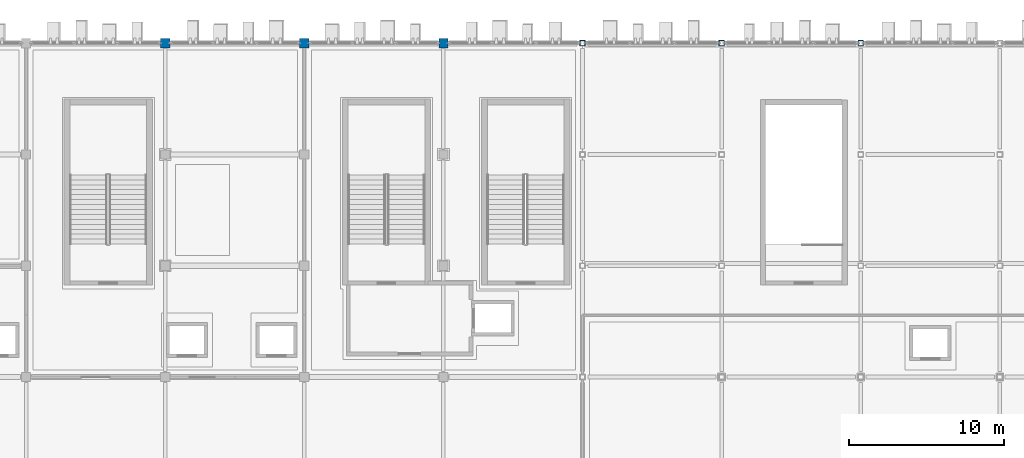
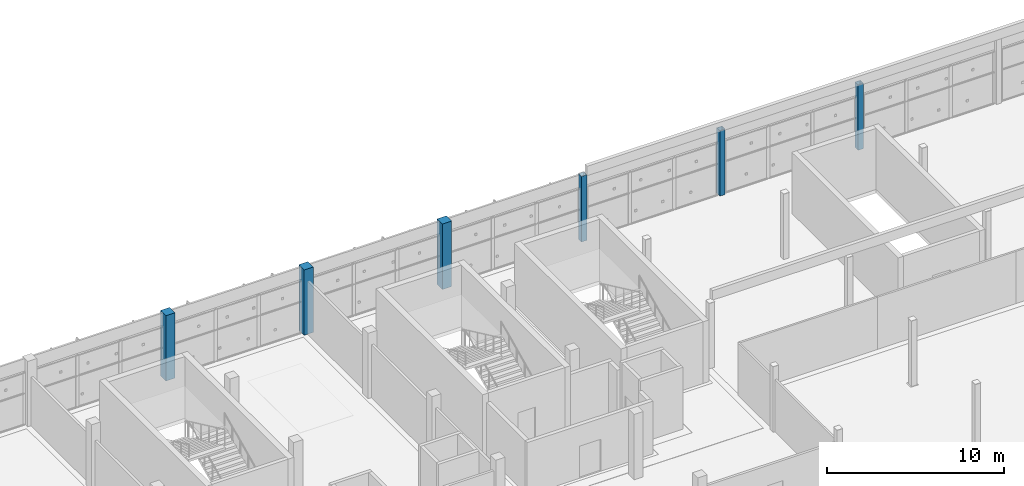
# One storey, part 8 of 124: 6 columns.
"""IFC4 building model written with IfcOpenShell, lengths in metres."""

from ifc_helpers import new_model, si_unit, direction, frame, origin, origin_2d, place, context, subcontext, project, spatial, rectangle, hollow_rectangle, extrude, material, material_profile, profile_set, type_object, element, save


model = new_model("IFC4")

# Units and contexts
model_context = context("Model", 3, precision=1e-05, world=origin(), true_north=direction((0.0, 1.0)))
body_context = subcontext(model_context, "Body", "Model", "MODEL_VIEW")
ifc_project = project(units=[si_unit("LENGTHUNIT", "METRE"), si_unit("AREAUNIT", "SQUARE_METRE"), si_unit("VOLUMEUNIT", "CUBIC_METRE"), si_unit("PLANEANGLEUNIT", "RADIAN"), si_unit("MASSUNIT", "GRAM", prefix="KILO")], contexts=[model_context])

# Site, building, storey
site_placement = place(None, origin())
site = spatial("IfcSite", under=ifc_project, at=site_placement, CompositionType="ELEMENT")
building_placement = place(site_placement, origin())
building = spatial("IfcBuilding", under=site, at=building_placement, Name="Celestram Park Convention Centre", CompositionType="ELEMENT")
storey_placement = place(building_placement, frame((0.0, 0.0, 15.300048828125)))
storey = spatial("IfcBuildingStorey", under=building, at=storey_placement, Name="L03", CompositionType="ELEMENT", Elevation=15.300048828125)

# Columns
ifc_material_1 = material(Name="Steel ASTM A500 Grade C", Category="steel")
ifc_material_profile_1 = material_profile(ifc_material_1, hollow_rectangle(XDim=0.35009765625, YDim=0.35009765625, WallThickness=0.01611328125, at=origin_2d()), Name="HSS350X350X16")
ifc_profile_set_1 = profile_set([ifc_material_profile_1], Name="Steel ASTM A500 Grade C")
column_type_1 = type_object("IfcColumnType", Name="STR-COL-HSS350", PredefinedType="COLUMN", material=ifc_profile_set_1)
for number, where, z_axis, x_axis, name in (
    (1, (99.0, 165.60009765625, 0.0), (0.0, 0.0, 1.0), (1.0, 0.0, 0.0), "Column CN-L03-069"),
    (2, (108.0, 165.60009765625, 0.0), (0.0, 0.0, 1.0), (1.0, 0.0, 0.0), "Column CN-L03-078"),
    (3, (117.0, 165.60009765625, 0.0), (0.0, 0.0, 1.0), (1.0, 0.0, 0.0), "Column CN-L03-087"),
):
    element("IfcColumn", number, at=place(storey_placement, frame(where, z_axis=z_axis, x_axis=x_axis)), inside=storey, type_object=column_type_1, Name=name, PredefinedType="COLUMN", context=body_context, shape_type="SweptSolid", body=[
        extrude(hollow_rectangle(XDim=0.35009765625, YDim=0.35009765625, WallThickness=0.01611328125, at=origin_2d()), origin(), (0.0, 0.0, 1.0), 4.5),
    ])
ifc_material_2 = material(Name="Concrete C40/50", Category="concrete")
ifc_material_profile_2 = material_profile(ifc_material_2, rectangle(XDim=0.60009765625, YDim=0.60009765625, at=origin_2d()), Name="RC600X600")
ifc_profile_set_2 = profile_set([ifc_material_profile_2], Name="Concrete C40/50")
column_type_2 = type_object("IfcColumnType", Name="STR-COL-RC600", PredefinedType="COLUMN", material=ifc_profile_set_2)
for number, where, z_axis, x_axis, name in (
    (4, (72.0, 165.60009765625, 0.0), (0.0, 0.0, 1.0), (1.0, 0.0, 0.0), "Column CN-L03-042"),
    (5, (81.0, 165.60009765625, 0.0), (0.0, 0.0, 1.0), (1.0, 0.0, 0.0), "Column CN-L03-051"),
    (6, (90.0, 165.60009765625, 0.0), (0.0, 0.0, 1.0), (1.0, 0.0, 0.0), "Column CN-L03-060"),
):
    element("IfcColumn", number, at=place(storey_placement, frame(where, z_axis=z_axis, x_axis=x_axis)), inside=storey, type_object=column_type_2, Name=name, PredefinedType="COLUMN", context=body_context, shape_type="SweptSolid", body=[
        extrude(rectangle(XDim=0.60009765625, YDim=0.60009765625, at=origin_2d()), origin(), (0.0, 0.0, 1.0), 4.5),
    ])

save(model, "model.ifc")
